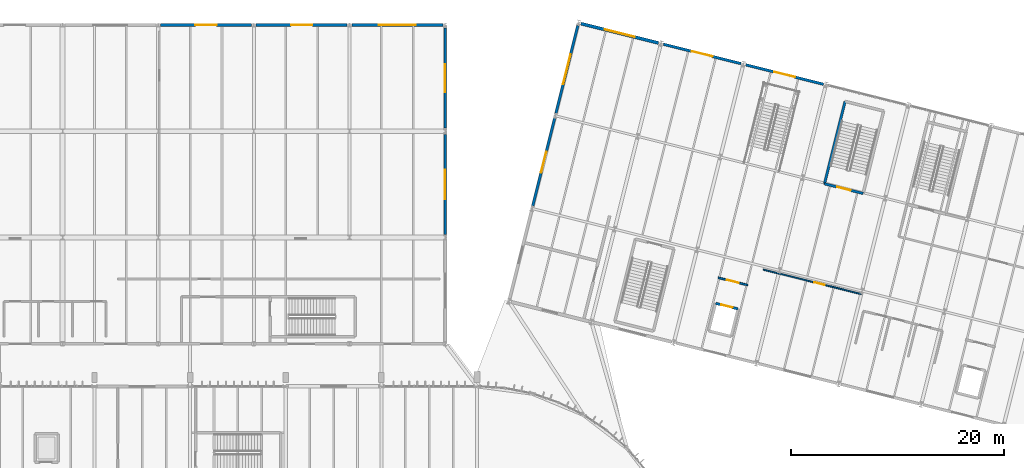
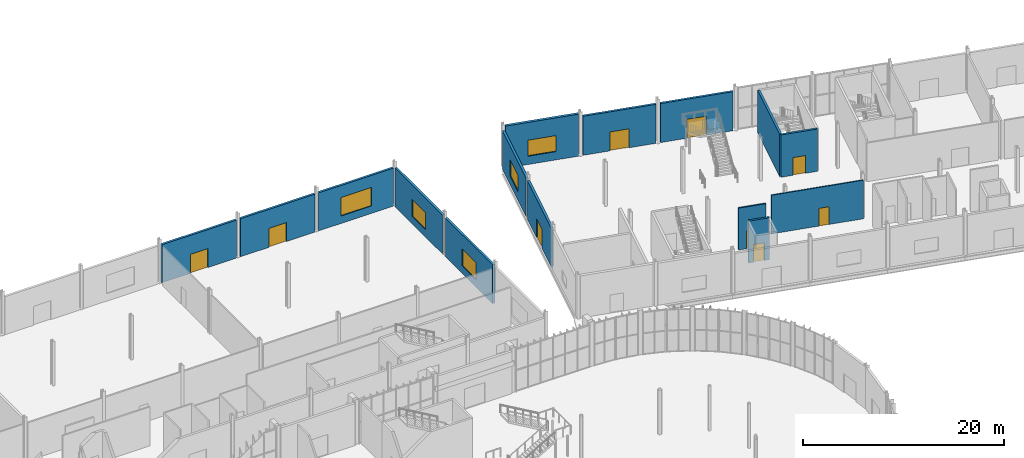
# One storey, part 127 of 158: 15 walls, 9 doors, 5 windows, 14 openings.
"""IFC4 building model written with IfcOpenShell, lengths in metres."""

from ifc_helpers import new_model, si_unit, derived_unit, direction, frame, frame_2d, origin, place, context, subcontext, project, spatial, rectangle, extrude, material, layer, layer_set, type_object, element, fill, save


model = new_model("IFC4")

# Units and contexts
model_context = context("Model", 3, precision=1e-05, world=origin(), true_north=direction((0.0, 1.0)))
body_context = subcontext(model_context, "Body", "Model", "MODEL_VIEW")
ifc_project = project(units=[si_unit("LENGTHUNIT", "METRE"), si_unit("AREAUNIT", "SQUARE_METRE"), si_unit("VOLUMEUNIT", "CUBIC_METRE"), si_unit("PLANEANGLEUNIT", "RADIAN"), si_unit("MASSUNIT", "GRAM", prefix="KILO"), si_unit("THERMODYNAMICTEMPERATUREUNIT", "KELVIN"), si_unit("TIMEUNIT", "SECOND"), derived_unit("THERMALTRANSMITTANCEUNIT", [(si_unit("MASSUNIT", "GRAM", prefix="KILO"), 1), (si_unit("THERMODYNAMICTEMPERATUREUNIT", "KELVIN"), -1), (si_unit("TIMEUNIT", "SECOND"), -3)])], contexts=[model_context])

# Site, building, storey
site_placement = place(None, origin())
site = spatial("IfcSite", under=ifc_project, at=site_placement, CompositionType="ELEMENT")
building_placement = place(site_placement, origin())
building = spatial("IfcBuilding", under=site, at=building_placement, Name="Cambertide Market Hall", CompositionType="ELEMENT")
storey_placement = place(building_placement, origin())
storey = spatial("IfcBuildingStorey", under=building, at=storey_placement, Name="L01", CompositionType="ELEMENT", Elevation=0.0)

# Wall, opening, door
ifc_material_1 = material(Name="Autoclaved Aerated Concrete Blockwork M7.5", Category="masonry")
ifc_layer_1 = layer(ifc_material_1, 0.25, Name="Insulated AAC Exterior Infill Wall 250")
ifc_layer_set_1 = layer_set([ifc_layer_1], Name="Autoclaved Aerated Concrete Blockwork M7.5")
wall_type_1 = type_object("IfcWallType", Name="Insulated AAC Exterior Infill Wall 250", PredefinedType="SOLIDWALL", material=ifc_layer_set_1)
wall_1_placement = place(storey_placement, frame((75.219970703125, 126.0, 0.0), z_axis=(0.0, 0.0, 1.0), x_axis=(1.0, 0.0, 0.0)))
wall_1 = element("IfcWall", 1, at=wall_1_placement, inside=storey, type_object=wall_type_1, Name="Level 1 Exterior Wall EW-L01-V2N-8", PredefinedType="SOLIDWALL", context=body_context, shape_type="SweptSolid", body=[
    extrude(rectangle(XDim=8.56005859375, YDim=0.25, at=frame_2d((4.280029296875, 0.0))), origin(), (0.0, 0.0, 1.0), 4.610107421875),
])
opening_1_placement = place(wall_1_placement, frame((3.280029296875, 0.0, 0.0)))
opening_1 = element("IfcOpeningElement", 2, at=opening_1_placement, cuts=wall_1, Name="Opening ED-01", PredefinedType="OPENING", context=body_context, shape_type="SweptSolid", body=[
    extrude(rectangle(XDim=2.0, YDim=2.300048828125, at=frame_2d((1.0, 1.14990234375))), frame((0.0, 0.135009765625, 0.0), z_axis=(0.0, -1.0, 0.0), x_axis=(1.0, 0.0, 0.0)), (0.0, 0.0, 1.0), 0.27001953125),
])
ifc_material_2 = material(Name="Champagne Marine Anodized Aluminium 6063-T6 AA25", Category="aluminium")
door_type_1 = type_object("IfcDoorType", Name="Final Exit Double Door 2000x2300", OperationType="DOUBLE_DOOR_SINGLE_SWING", PredefinedType="DOOR", material=ifc_material_2)
door_1_placement = place(opening_1_placement, origin())
door_1 = element("IfcDoor", 3, at=door_1_placement, inside=storey, type_object=door_type_1, Name="Level 1 Exterior Door EW-L01-V2N-8-DR", OperationType="DOUBLE_DOOR_SINGLE_SWING", OverallHeight=2.300048828125, OverallWidth=2.0, PredefinedType="DOOR", context=body_context, shape_type="SweptSolid", body=[
    extrude(rectangle(XDim=2.0, YDim=2.300048828125, at=frame_2d((1.0, 1.14990234375))), frame((0.0, 0.02490234375, 0.0), z_axis=(0.0, -1.0, 0.0), x_axis=(1.0, 0.0, 0.0)), (0.0, 0.0, 1.0), 0.050048828125),
])
fill(opening_1, door_1)

wall_2_placement = place(storey_placement, frame((84.219970703125, 126.0, 0.0), z_axis=(0.0, 0.0, 1.0), x_axis=(1.0, 0.0, 0.0)))
wall_2 = element("IfcWall", 4, at=wall_2_placement, inside=storey, type_object=wall_type_1, Name="Level 1 Exterior Wall EW-L01-V2N-9", PredefinedType="SOLIDWALL", context=body_context, shape_type="SweptSolid", body=[
    extrude(rectangle(XDim=8.56005859375, YDim=0.25, at=frame_2d((4.280029296875, 0.0))), origin(), (0.0, 0.0, 1.0), 4.610107421875),
])
opening_2_placement = place(wall_2_placement, frame((3.280029296875, 0.0, 0.0)))
opening_2 = element("IfcOpeningElement", 5, at=opening_2_placement, cuts=wall_2, Name="Opening ED-01", PredefinedType="OPENING", context=body_context, shape_type="SweptSolid", body=[
    extrude(rectangle(XDim=2.0, YDim=2.300048828125, at=frame_2d((1.0, 1.14990234375))), frame((0.0, 0.135009765625, 0.0), z_axis=(0.0, -1.0, 0.0), x_axis=(1.0, 0.0, 0.0)), (0.0, 0.0, 1.0), 0.27001953125),
])
door_2_placement = place(opening_2_placement, origin())
door_2 = element("IfcDoor", 6, at=door_2_placement, inside=storey, type_object=door_type_1, Name="Level 1 Exterior Door EW-L01-V2N-9-DR", OperationType="DOUBLE_DOOR_SINGLE_SWING", OverallHeight=2.300048828125, OverallWidth=2.0, PredefinedType="DOOR", context=body_context, shape_type="SweptSolid", body=[
    extrude(rectangle(XDim=2.0, YDim=2.300048828125, at=frame_2d((1.0, 1.14990234375))), frame((0.0, 0.02490234375, 0.0), z_axis=(0.0, -1.0, 0.0), x_axis=(1.0, 0.0, 0.0)), (0.0, 0.0, 1.0), 0.050048828125),
])
fill(opening_2, door_2)

# Wall, opening, window
wall_3_placement = place(storey_placement, frame((93.219970703125, 126.0, 0.0), z_axis=(0.0, 0.0, 1.0), x_axis=(1.0, 0.0, 0.0)))
wall_3 = element("IfcWall", 7, at=wall_3_placement, inside=storey, type_object=wall_type_1, Name="Level 1 Exterior Wall EW-L01-V2N-10", PredefinedType="SOLIDWALL", context=body_context, shape_type="SweptSolid", body=[
    extrude(rectangle(XDim=8.56005859375, YDim=0.25, at=frame_2d((4.280029296875, 0.0))), origin(), (0.0, 0.0, 1.0), 4.610107421875),
])
opening_3_placement = place(wall_3_placement, frame((2.530029296875, 0.0, 0.89990234375)))
opening_3 = element("IfcOpeningElement", 8, at=opening_3_placement, cuts=wall_3, Name="Opening WN-02B", PredefinedType="OPENING", context=body_context, shape_type="SweptSolid", body=[
    extrude(rectangle(XDim=3.5, YDim=2.25, at=frame_2d((1.75, 1.125))), frame((0.0, 0.135009765625, 0.0), z_axis=(0.0, -1.0, 0.0), x_axis=(1.0, 0.0, 0.0)), (0.0, 0.0, 1.0), 0.27001953125),
])
ifc_material_3 = material(Name="Low-E Laminated Insulated Glass", Category="glass")
window_type_1 = type_object("IfcWindowType", Name="Corner Retail Showcase Window 3500x2250", PartitioningType="SINGLE_PANEL", PredefinedType="WINDOW", material=ifc_material_3)
window_1_placement = place(opening_3_placement, origin())
window_1 = element("IfcWindow", 9, at=window_1_placement, inside=storey, type_object=window_type_1, Name="Level 1 Window EW-L01-V2N-10-WN", OverallHeight=2.25, OverallWidth=3.5, PartitioningType="SINGLE_PANEL", PredefinedType="WINDOW", context=body_context, shape_type="SweptSolid", body=[
    extrude(rectangle(XDim=3.5, YDim=2.25, at=frame_2d((1.75, 1.125))), frame((0.0, 0.030029296875, 0.0), z_axis=(0.0, -1.0, 0.0), x_axis=(1.0, 0.0, 0.0)), (0.0, 0.0, 1.0), 0.06005859375),
])
fill(opening_3, window_1)

wall_4_placement = place(storey_placement, frame((102.0, 115.699951171875, 0.0), z_axis=(0.0, 0.0, 1.0), x_axis=(0.0, -1.0, 0.0)))
wall_4 = element("IfcWall", 10, at=wall_4_placement, inside=storey, type_object=wall_type_1, Name="Level 1 Exterior Wall EW-L01-V2E-SPEC", PredefinedType="SOLIDWALL", context=body_context, shape_type="SweptSolid", body=[
    extrude(rectangle(XDim=9.39990234375, YDim=0.25, at=frame_2d((4.699951171875, 0.0))), origin(), (0.0, 0.0, 1.0), 4.7099609375),
])
opening_4_placement = place(wall_4_placement, frame((3.300048828125, 0.0, 0.89990234375)))
opening_4 = element("IfcOpeningElement", 11, at=opening_4_placement, cuts=wall_4, Name="Opening WN-03", PredefinedType="OPENING", context=body_context, shape_type="SweptSolid", body=[
    extrude(rectangle(XDim=2.800048828125, YDim=2.10009765625, at=frame_2d((1.39990234375, 1.050048828125))), frame((0.0, 0.135009765625, 0.0), z_axis=(0.0, -1.0, 0.0), x_axis=(1.0, 0.0, 0.0)), (0.0, 0.0, 1.0), 0.27001953125),
])
ifc_material_4 = material(Name="Low-E Laminated Insulated Glass", Category="glass")
window_type_2 = type_object("IfcWindowType", Name="Specialty Pavilion Window 2800x2100", PartitioningType="SINGLE_PANEL", PredefinedType="WINDOW", material=ifc_material_4)
window_2_placement = place(opening_4_placement, origin())
window_2 = element("IfcWindow", 12, at=window_2_placement, inside=storey, type_object=window_type_2, Name="Level 1 Window EW-L01-V2E-SPEC-WN", OverallHeight=2.10009765625, OverallWidth=2.800048828125, PartitioningType="SINGLE_PANEL", PredefinedType="WINDOW", context=body_context, shape_type="SweptSolid", body=[
    extrude(rectangle(XDim=2.800048828125, YDim=2.10009765625, at=frame_2d((1.39990234375, 1.050048828125))), frame((0.0, 0.030029296875, 0.0), z_axis=(0.0, -1.0, 0.0), x_axis=(1.0, 0.0, 0.0)), (0.0, 0.0, 1.0), 0.06005859375),
])
fill(opening_4, window_2)

wall_5_placement = place(storey_placement, frame((102.0, 125.699951171875, 0.0), z_axis=(0.0, 0.0, 1.0), x_axis=(0.0, -1.0, 0.0)))
wall_5 = element("IfcWall", 13, at=wall_5_placement, inside=storey, type_object=wall_type_1, Name="Level 1 Exterior Wall EW-L01-V2E-BAKE", PredefinedType="SOLIDWALL", context=body_context, shape_type="SweptSolid", body=[
    extrude(rectangle(XDim=9.39990234375, YDim=0.25, at=frame_2d((4.699951171875, 0.0))), origin(), (0.0, 0.0, 1.0), 4.7099609375),
])
opening_5_placement = place(wall_5_placement, frame((3.375, 0.0, 0.89990234375)))
opening_5 = element("IfcOpeningElement", 14, at=opening_5_placement, cuts=wall_5, Name="Opening WN-03B", PredefinedType="OPENING", context=body_context, shape_type="SweptSolid", body=[
    extrude(rectangle(XDim=2.64990234375, YDim=2.050048828125, at=frame_2d((1.324951171875, 1.02490234375))), frame((0.0, 0.135009765625, 0.0), z_axis=(0.0, -1.0, 0.0), x_axis=(1.0, 0.0, 0.0)), (0.0, 0.0, 1.0), 0.27001953125),
])
ifc_material_5 = material(Name="Low-E Laminated Insulated Glass", Category="glass")
window_type_3 = type_object("IfcWindowType", Name="Bakery Pavilion Window 2650x2050", PartitioningType="SINGLE_PANEL", PredefinedType="WINDOW", material=ifc_material_5)
window_3_placement = place(opening_5_placement, origin())
window_3 = element("IfcWindow", 15, at=window_3_placement, inside=storey, type_object=window_type_3, Name="Level 1 Window EW-L01-V2E-BAKE-WN", OverallHeight=2.050048828125, OverallWidth=2.64990234375, PartitioningType="SINGLE_PANEL", PredefinedType="WINDOW", context=body_context, shape_type="SweptSolid", body=[
    extrude(rectangle(XDim=2.64990234375, YDim=2.050048828125, at=frame_2d((1.324951171875, 1.02490234375))), frame((0.0, 0.030029296875, 0.0), z_axis=(0.0, -1.0, 0.0), x_axis=(1.0, 0.0, 0.0)), (0.0, 0.0, 1.0), 0.06005859375),
])
fill(opening_5, window_3)

# Wall, opening, door
wall_6_placement = place(storey_placement, frame((122.54248046875, 124.1953125, 0.0), z_axis=(0.0, 0.0, 1.0), x_axis=(0.970146319544, -0.242520346931, 0.0)))
wall_6 = element("IfcWall", 16, at=wall_6_placement, inside=storey, type_object=wall_type_1, Name="Level 1 Exterior Wall EW-L01-V4N-2", PredefinedType="SOLIDWALL", context=body_context, shape_type="SweptSolid", body=[
    extrude(rectangle(XDim=7.52001953125, YDim=0.25, at=frame_2d((3.760009765625, 0.0))), origin(), (0.0, 0.0, 1.0), 4.735107421875),
])
opening_6_placement = place(wall_6_placement, frame((2.760009765625, 0.0, 0.0)))
opening_6 = element("IfcOpeningElement", 17, at=opening_6_placement, cuts=wall_6, Name="Opening ED-01", PredefinedType="OPENING", context=body_context, shape_type="SweptSolid", body=[
    extrude(rectangle(XDim=2.0, YDim=2.300048828125, at=frame_2d((1.0, 1.14990234375))), frame((0.0, 0.135009765625, 0.0), z_axis=(0.0, -1.0, 0.0), x_axis=(1.0, 0.0, 0.0)), (0.0, 0.0, 1.0), 0.27001953125),
])
door_3_placement = place(opening_6_placement, origin())
door_3 = element("IfcDoor", 18, at=door_3_placement, inside=storey, type_object=door_type_1, Name="Level 1 Exterior Door EW-L01-V4N-2-DR", OperationType="DOUBLE_DOOR_SINGLE_SWING", OverallHeight=2.300048828125, OverallWidth=2.0, PredefinedType="DOOR", context=body_context, shape_type="SweptSolid", body=[
    extrude(rectangle(XDim=2.0, YDim=2.300048828125, at=frame_2d((1.0, 1.14990234375))), frame((0.0, 0.02490234375, 0.0), z_axis=(0.0, -1.0, 0.0), x_axis=(1.0, 0.0, 0.0)), (0.0, 0.0, 1.0), 0.050048828125),
])
fill(opening_6, door_3)

wall_7_placement = place(storey_placement, frame((130.303466796875, 122.255126953125, 0.0), z_axis=(0.0, 0.0, 1.0), x_axis=(0.970140590431, -0.242543263766, 0.0)))
wall_7 = element("IfcWall", 19, at=wall_7_placement, inside=storey, type_object=wall_type_1, Name="Level 1 Exterior Wall EW-L01-V4N-3", PredefinedType="SOLIDWALL", context=body_context, shape_type="SweptSolid", body=[
    extrude(rectangle(XDim=7.520263671875, YDim=0.25, at=frame_2d((3.76025390625, 0.0))), origin(), (0.0, 0.0, 1.0), 4.735107421875),
])
opening_7_placement = place(wall_7_placement, frame((2.760009765625, 0.0, 0.0)))
opening_7 = element("IfcOpeningElement", 20, at=opening_7_placement, cuts=wall_7, Name="Opening ED-01", PredefinedType="OPENING", context=body_context, shape_type="SweptSolid", body=[
    extrude(rectangle(XDim=2.0, YDim=2.300048828125, at=frame_2d((1.0, 1.14990234375))), frame((0.0, 0.135009765625, 0.0), z_axis=(0.0, -1.0, 0.0), x_axis=(1.0, 0.0, 0.0)), (0.0, 0.0, 1.0), 0.27001953125),
])
door_4_placement = place(opening_7_placement, origin())
door_4 = element("IfcDoor", 21, at=door_4_placement, inside=storey, type_object=door_type_1, Name="Level 1 Exterior Door EW-L01-V4N-3-DR", OperationType="DOUBLE_DOOR_SINGLE_SWING", OverallHeight=2.300048828125, OverallWidth=2.0, PredefinedType="DOOR", context=body_context, shape_type="SweptSolid", body=[
    extrude(rectangle(XDim=2.0, YDim=2.300048828125, at=frame_2d((1.0, 1.14990234375))), frame((0.0, 0.02490234375, 0.0), z_axis=(0.0, -1.0, 0.0), x_axis=(1.0, 0.0, 0.0)), (0.0, 0.0, 1.0), 0.050048828125),
])
fill(opening_7, door_4)

wall_8_placement = place(storey_placement, frame((110.240966796875, 108.964111328125, 0.0), z_axis=(0.0, 0.0, 1.0), x_axis=(0.242535625036, 0.970142500145, 0.0)))
wall_8 = element("IfcWall", 22, at=wall_8_placement, inside=storey, type_object=wall_type_1, Name="Level 1 Exterior Wall EW-L01-V4W-2", PredefinedType="SOLIDWALL", context=body_context, shape_type="SweptSolid", body=[
    extrude(rectangle(XDim=8.52001953125, YDim=0.25, at=frame_2d((4.260009765625, 0.0))), origin(), (0.0, 0.0, 1.0), 4.68505859375),
])
opening_8_placement = place(wall_8_placement, frame((3.260009765625, 0.0, 0.0)))
opening_8 = element("IfcOpeningElement", 23, at=opening_8_placement, cuts=wall_8, Name="Opening ED-01", PredefinedType="OPENING", context=body_context, shape_type="SweptSolid", body=[
    extrude(rectangle(XDim=2.0, YDim=2.300048828125, at=frame_2d((1.0, 1.14990234375))), frame((0.0, 0.135009765625, 0.0), z_axis=(0.0, -1.0, 0.0), x_axis=(1.0, 0.0, 0.0)), (0.0, 0.0, 1.0), 0.27001953125),
])
door_5_placement = place(opening_8_placement, origin())
door_5 = element("IfcDoor", 24, at=door_5_placement, inside=storey, type_object=door_type_1, Name="Level 1 Exterior Door EW-L01-V4W-2-DR", OperationType="DOUBLE_DOOR_SINGLE_SWING", OverallHeight=2.300048828125, OverallWidth=2.0, PredefinedType="DOOR", context=body_context, shape_type="SweptSolid", body=[
    extrude(rectangle(XDim=2.0, YDim=2.300048828125, at=frame_2d((1.0, 1.14990234375))), frame((0.0, 0.02490234375, 0.0), z_axis=(0.0, -1.0, 0.0), x_axis=(1.0, 0.0, 0.0)), (0.0, 0.0, 1.0), 0.050048828125),
])
fill(opening_8, door_5)

# Wall, opening, window
wall_9_placement = place(storey_placement, frame((112.423828125, 117.6953125, 0.0), z_axis=(0.0, 0.0, 1.0), x_axis=(0.242535625036, 0.970142500145, 0.0)))
wall_9 = element("IfcWall", 25, at=wall_9_placement, inside=storey, type_object=wall_type_1, Name="Level 1 Exterior Wall EW-L01-V4W-3", PredefinedType="SOLIDWALL", context=body_context, shape_type="SweptSolid", body=[
    extrude(rectangle(XDim=8.52001953125, YDim=0.25, at=frame_2d((4.260009765625, 0.0))), origin(), (0.0, 0.0, 1.0), 4.68505859375),
])
opening_9_placement = place(wall_9_placement, frame((2.81005859375, 0.0, 1.050048828125)))
opening_9 = element("IfcOpeningElement", 26, at=opening_9_placement, cuts=wall_9, Name="Opening WN-07", PredefinedType="OPENING", context=body_context, shape_type="SweptSolid", body=[
    extrude(rectangle(XDim=2.89990234375, YDim=1.949951171875, at=frame_2d((1.449951171875, 0.97509765625))), frame((0.0, 0.135009765625, 0.0), z_axis=(0.0, -1.0, 0.0), x_axis=(1.0, 0.0, 0.0)), (0.0, 0.0, 1.0), 0.27001953125),
])
ifc_material_6 = material(Name="Low-E Laminated Insulated Glass", Category="glass")
window_type_4 = type_object("IfcWindowType", Name="Spice Hall Punched Window 2900x1950", PartitioningType="SINGLE_PANEL", PredefinedType="WINDOW", material=ifc_material_6)
window_4_placement = place(opening_9_placement, origin())
window_4 = element("IfcWindow", 27, at=window_4_placement, inside=storey, type_object=window_type_4, Name="Level 1 Window EW-L01-V4W-3-WN", OverallHeight=1.949951171875, OverallWidth=2.89990234375, PartitioningType="SINGLE_PANEL", PredefinedType="WINDOW", context=body_context, shape_type="SweptSolid", body=[
    extrude(rectangle(XDim=2.89990234375, YDim=1.949951171875, at=frame_2d((1.449951171875, 0.97509765625))), frame((0.0, 0.030029296875, 0.0), z_axis=(0.0, -1.0, 0.0), x_axis=(1.0, 0.0, 0.0)), (0.0, 0.0, 1.0), 0.06005859375),
])
fill(opening_9, window_4)

# Wall, opening, door
ifc_material_7 = material(Name="Autoclaved Aerated Concrete Blockwork M7.5", Category="masonry")
ifc_layer_2 = layer(ifc_material_7, 0.169921875, Name="Lift Lobby Fire Partition 170")
ifc_layer_set_2 = layer_set([ifc_layer_2], Name="Autoclaved Aerated Concrete Blockwork M7.5")
wall_type_2 = type_object("IfcWallType", Name="Lift Lobby Fire Partition 170", PredefinedType="PARTITIONING", material=ifc_layer_set_2)
wall_10_placement = place(storey_placement, frame((127.6962890625, 102.21923828125, 0.0), z_axis=(0.0, 0.0, 1.0), x_axis=(0.970127434573, -0.242595879372, 0.0)))
wall_10 = element("IfcWall", 28, at=wall_10_placement, inside=storey, type_object=wall_type_2, Name="Level 1 Interior Wall LLW-LP-03-L01", PredefinedType="PARTITIONING", context=body_context, shape_type="SweptSolid", body=[
    extrude(rectangle(XDim=2.860107421875, YDim=0.169921875, at=frame_2d((1.43017578125, 0.0))), origin(), (0.0, 0.0, 1.0), 5.080078125),
])
opening_10_placement = place(wall_10_placement, frame((0.85498046875, 0.0, 0.0)))
opening_10 = element("IfcOpeningElement", 29, at=opening_10_placement, cuts=wall_10, Name="Opening KD-02", PredefinedType="OPENING", context=body_context, shape_type="SweptSolid", body=[
    extrude(rectangle(XDim=1.14990234375, YDim=2.14990234375, at=frame_2d((0.574951171875, 1.074951171875))), frame((0.0, 0.094970703125, 0.0), z_axis=(0.0, -1.0, 0.0), x_axis=(1.0, 0.0, 0.0)), (0.0, 0.0, 1.0), 0.18994140625),
])
ifc_material_8 = material(Name="Stainless Steel Grade 316", Category="metal")
door_type_2 = type_object("IfcDoorType", Name="Lift Lobby Smoke-Stop Door 1150x2150", OperationType="NOTDEFINED", PredefinedType="DOOR", material=ifc_material_8)
door_6_placement = place(opening_10_placement, origin())
door_6 = element("IfcDoor", 30, at=door_6_placement, inside=storey, type_object=door_type_2, Name="Level 1 Door LLW-LP-03-L01-DR1", OperationType="SINGLE_SWING_RIGHT", OverallHeight=2.14990234375, OverallWidth=1.14990234375, PredefinedType="DOOR", context=body_context, shape_type="SweptSolid", body=[
    extrude(rectangle(XDim=1.14990234375, YDim=2.14990234375, at=frame_2d((0.574951171875, 1.074951171875))), frame((0.0, 0.02490234375, 0.0), z_axis=(0.0, -1.0, 0.0), x_axis=(1.0, 0.0, 0.0)), (0.0, 0.0, 1.0), 0.050048828125),
])
fill(opening_10, door_6)

ifc_material_9 = material(Name="Autoclaved Aerated Concrete Blockwork M7.5", Category="masonry")
ifc_layer_3 = layer(ifc_material_9, 0.125, Name="Market Stall & Office Partition 125")
ifc_layer_set_3 = layer_set([ifc_layer_3], Name="Autoclaved Aerated Concrete Blockwork M7.5")
wall_type_3 = type_object("IfcWallType", Name="Market Stall & Office Partition 125", PredefinedType="PARTITIONING", material=ifc_layer_set_3)
wall_11_placement = place(storey_placement, frame((131.938232421875, 102.983154296875, 0.0), z_axis=(0.0, 0.0, 1.0), x_axis=(0.970145523508, -0.242523531267, 0.0)))
wall_11 = element("IfcWall", 31, at=wall_11_placement, inside=storey, type_object=wall_type_3, Name="Level 1 Interior Wall IW-L01-V4S1", PredefinedType="PARTITIONING", context=body_context, shape_type="SweptSolid", body=[
    extrude(rectangle(XDim=9.5, YDim=0.125, at=frame_2d((4.75, 0.0))), origin(), (0.0, 0.0, 1.0), 4.68505859375),
])
opening_11_placement = place(wall_11_placement, frame((4.929931640625, 0.0, 0.0)))
opening_11 = element("IfcOpeningElement", 32, at=opening_11_placement, cuts=wall_11, Name="Opening ID-03", PredefinedType="OPENING", context=body_context, shape_type="SweptSolid", body=[
    extrude(rectangle(XDim=1.0, YDim=2.14990234375, at=frame_2d((0.5, 1.074951171875))), frame((0.0, 0.072509765625, 0.0), z_axis=(0.0, -1.0, 0.0), x_axis=(1.0, 0.0, 0.0)), (0.0, 0.0, 1.0), 0.14501953125),
])
ifc_material_10 = material(Name="Champagne Marine Anodized Aluminium 6063-T6 AA25", Category="aluminium")
door_type_3 = type_object("IfcDoorType", Name="Accessible Room Single Door 1000x2150", OperationType="NOTDEFINED", PredefinedType="DOOR", material=ifc_material_10)
door_7_placement = place(opening_11_placement, origin())
door_7 = element("IfcDoor", 33, at=door_7_placement, inside=storey, type_object=door_type_3, Name="Level 1 Door IW-L01-V4S1-DR1", OperationType="SINGLE_SWING_LEFT", OverallHeight=2.14990234375, OverallWidth=1.0, PredefinedType="DOOR", context=body_context, shape_type="SweptSolid", body=[
    extrude(rectangle(XDim=1.0, YDim=2.14990234375, at=frame_2d((0.5, 1.074951171875))), frame((0.0, 0.02490234375, 0.0), z_axis=(0.0, -1.0, 0.0), x_axis=(1.0, 0.0, 0.0)), (0.0, 0.0, 1.0), 0.050048828125),
])
fill(opening_11, door_7)

ifc_material_11 = material(Name="Concrete B35", Category="concrete")
ifc_layer_4 = layer(ifc_material_11, 0.239990234375, Name="Stair & Lift Core Shaft Wall 240")
ifc_layer_set_4 = layer_set([ifc_layer_4], Name="Concrete B35")
wall_type_4 = type_object("IfcWallType", Name="Stair & Lift Core Shaft Wall 240", PredefinedType="SOLIDWALL", material=ifc_layer_set_4)
wall_12_placement = place(storey_placement, frame((141.33056640625, 110.14404296875, 0.0), z_axis=(0.0, 0.0, 1.0), x_axis=(-0.970134840723, 0.242566260672, 0.0)))
wall_12 = element("IfcWall", 34, at=wall_12_placement, inside=storey, type_object=wall_type_4, Name="Level 1 Interior Wall SHW-ST-07B-L01-NEAR", PredefinedType="SOLIDWALL", context=body_context, shape_type="SweptSolid", body=[
    extrude(rectangle(XDim=3.750244140625, YDim=0.239990234375, at=frame_2d((1.875, 0.0))), origin(), (0.0, 0.0, 1.0), 5.135009765625),
])
opening_12_placement = place(wall_12_placement, frame((1.22509765625, 0.0, 0.0)))
opening_12 = element("IfcOpeningElement", 35, at=opening_12_placement, cuts=wall_12, Name="Opening FD-01", PredefinedType="OPENING", context=body_context, shape_type="SweptSolid", body=[
    extrude(rectangle(XDim=1.300048828125, YDim=2.14990234375, at=frame_2d((0.64990234375, 1.074951171875))), frame((0.0, 0.1298828125, 0.0), z_axis=(0.0, -1.0, 0.0), x_axis=(1.0, 0.0, 0.0)), (0.0, 0.0, 1.0), 0.260009765625),
])
ifc_material_12 = material(Name="Powder-Coated Galvanized Sheet Metal", Category="metal")
door_type_4 = type_object("IfcDoorType", Name="Stair Core Fire Door 1300x2150", OperationType="NOTDEFINED", PredefinedType="DOOR", material=ifc_material_12)
door_8_placement = place(opening_12_placement, origin())
door_8 = element("IfcDoor", 36, at=door_8_placement, inside=storey, type_object=door_type_4, Name="Level 1 Door SHW-ST-07B-L01-NEAR-DR1", OperationType="SINGLE_SWING_LEFT", OverallHeight=2.14990234375, OverallWidth=1.300048828125, PredefinedType="DOOR", context=body_context, shape_type="SweptSolid", body=[
    extrude(rectangle(XDim=1.300048828125, YDim=2.14990234375, at=frame_2d((0.64990234375, 1.074951171875))), frame((0.0, 0.02490234375, 0.0), z_axis=(0.0, -1.0, 0.0), x_axis=(1.0, 0.0, 0.0)), (0.0, 0.0, 1.0), 0.050048828125),
])
fill(opening_12, door_8)

# Wall
wall_13_placement = place(storey_placement, frame((137.6923828125, 111.0537109375, 0.0), z_axis=(0.0, 0.0, 1.0), x_axis=(0.242557167103, 0.970137114374, 0.0)))
element("IfcWall", 37, at=wall_13_placement, inside=storey, type_object=wall_type_4, Name="Level 1 Interior Wall SHW-ST-07B-L01-R", PredefinedType="SOLIDWALL", context=body_context, shape_type="SweptSolid", body=[
    extrude(rectangle(XDim=8.0, YDim=0.239990234375, at=frame_2d((4.0, 0.0))), origin(), (0.0, 0.0, 1.0), 5.135009765625),
])

# Wall, opening, door
wall_14_placement = place(storey_placement, frame((127.453857421875, 99.805908203125, 0.0), z_axis=(0.0, 0.0, 1.0), x_axis=(0.970135850962, -0.242562220222, 0.0)))
wall_14 = element("IfcWall", 38, at=wall_14_placement, inside=storey, type_object=wall_type_4, Name="Level 1 Interior Wall LSH-LP-03-L01-N", PredefinedType="SOLIDWALL", context=body_context, shape_type="SweptSolid", body=[
    extrude(rectangle(XDim=2.159912109375, YDim=0.239990234375, at=frame_2d((1.080078125, 0.0))), origin(), (0.0, 0.0, 1.0), 5.080078125),
])
opening_13_placement = place(wall_14_placement, frame((0.530029296875, 0.0, 0.0)))
opening_13 = element("IfcOpeningElement", 39, at=opening_13_placement, cuts=wall_14, Name="Opening LD-01", PredefinedType="OPENING", context=body_context, shape_type="SweptSolid", body=[
    extrude(rectangle(XDim=1.10009765625, YDim=2.14990234375, at=frame_2d((0.550048828125, 1.074951171875))), frame((0.0, 0.1298828125, 0.0), z_axis=(0.0, -1.0, 0.0), x_axis=(1.0, 0.0, 0.0)), (0.0, 0.0, 1.0), 0.260009765625),
])
ifc_material_13 = material(Name="Stainless Steel Grade 316", Category="metal")
door_type_5 = type_object("IfcDoorType", Name="Passenger Lift Sliding Landing Door 1100x2150", OperationType="DOUBLE_DOOR_SLIDING", PredefinedType="DOOR", material=ifc_material_13)
door_9_placement = place(opening_13_placement, origin())
door_9 = element("IfcDoor", 40, at=door_9_placement, inside=storey, type_object=door_type_5, Name="Level 1 Door LSH-LP-03-L01-N-DR1", OperationType="DOUBLE_DOOR_SLIDING", OverallHeight=2.14990234375, OverallWidth=1.10009765625, PredefinedType="DOOR", context=body_context, shape_type="SweptSolid", body=[
    extrude(rectangle(XDim=1.10009765625, YDim=2.14990234375, at=frame_2d((0.550048828125, 1.074951171875))), frame((0.0, 0.02490234375, 0.0), z_axis=(0.0, -1.0, 0.0), x_axis=(1.0, 0.0, 0.0)), (0.0, 0.0, 1.0), 0.050048828125),
])
fill(opening_13, door_9)

# Wall, opening, window
ifc_material_14 = material(Name="Concrete B35", Category="concrete")
ifc_layer_5 = layer(ifc_material_14, 0.300048828125, Name="Structural Facade Shear Wall 300")
ifc_layer_set_5 = layer_set([ifc_layer_5], Name="Concrete B35")
wall_type_5 = type_object("IfcWallType", Name="Structural Facade Shear Wall 300", PredefinedType="SHEAR", material=ifc_layer_set_5)
wall_15_placement = place(storey_placement, frame((114.78125, 126.1357421875, 0.0), z_axis=(0.0, 0.0, 1.0), x_axis=(0.970138680536, -0.242550902961, 0.0)))
wall_15 = element("IfcWall", 41, at=wall_15_placement, inside=storey, type_object=wall_type_5, Name="Level 1 Exterior Wall EW-L01-V4N-1", PredefinedType="SHEAR", context=body_context, shape_type="SweptSolid", body=[
    extrude(rectangle(XDim=7.52001953125, YDim=0.300048828125, at=frame_2d((3.760009765625, 0.0))), origin(), (0.0, 0.0, 1.0), 5.10009765625),
])
opening_14_placement = place(wall_15_placement, frame((2.31005859375, 0.0, 1.0)))
opening_14 = element("IfcOpeningElement", 42, at=opening_14_placement, cuts=wall_15, Name="Opening WN-07", PredefinedType="OPENING", context=body_context, shape_type="SweptSolid", body=[
    extrude(rectangle(XDim=2.89990234375, YDim=1.949951171875, at=frame_2d((1.449951171875, 0.97509765625))), frame((0.0, 0.159912109375, 0.0), z_axis=(0.0, -1.0, 0.0), x_axis=(1.0, 0.0, 0.0)), (0.0, 0.0, 1.0), 0.320068359375),
])
window_5_placement = place(opening_14_placement, origin())
window_5 = element("IfcWindow", 43, at=window_5_placement, inside=storey, type_object=window_type_4, Name="Level 1 Window EW-L01-V4N-1-WN", OverallHeight=1.949951171875, OverallWidth=2.89990234375, PartitioningType="SINGLE_PANEL", PredefinedType="WINDOW", context=body_context, shape_type="SweptSolid", body=[
    extrude(rectangle(XDim=2.89990234375, YDim=1.949951171875, at=frame_2d((1.449951171875, 0.97509765625))), frame((0.0, 0.030029296875, 0.0), z_axis=(0.0, -1.0, 0.0), x_axis=(1.0, 0.0, 0.0)), (0.0, 0.0, 1.0), 0.06005859375),
])
fill(opening_14, window_5)

save(model, "model.ifc")
